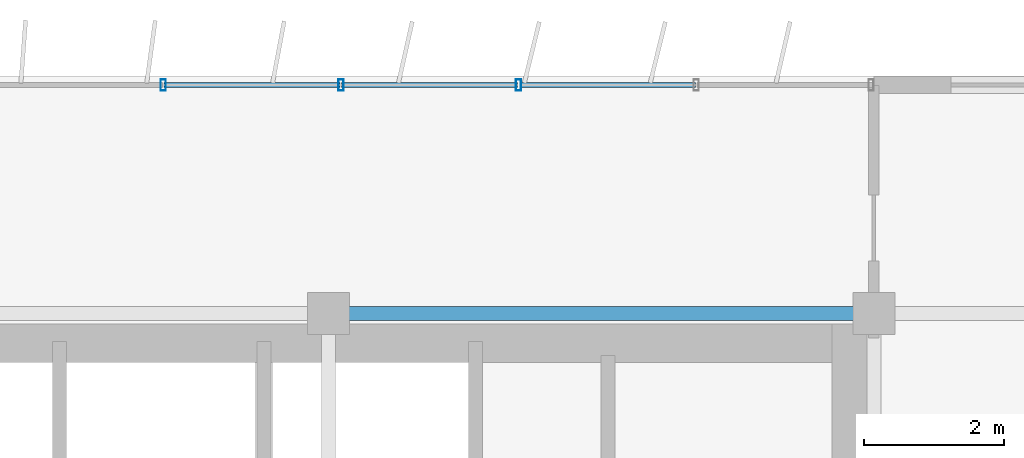
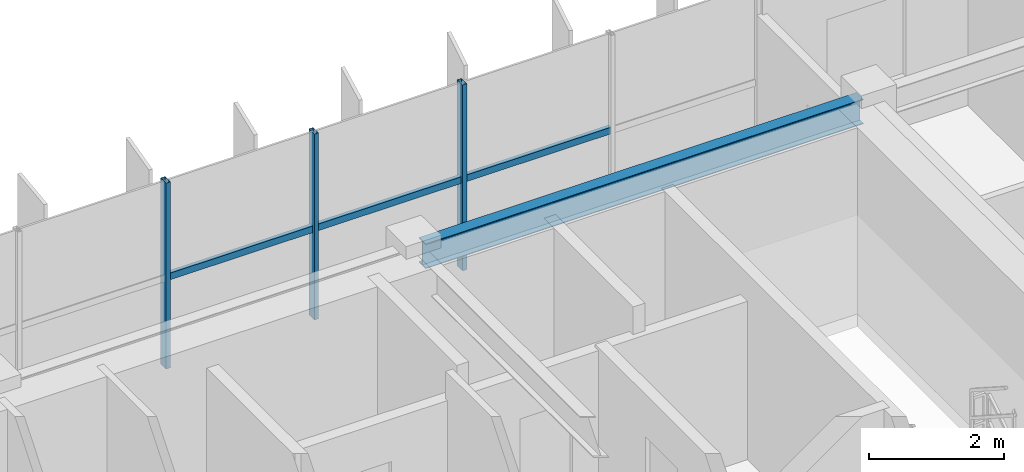
# One storey, part 12 of 22: 6 members, 1 beam, 1 element without a shape of its own.
"""IFC4 building model written with IfcOpenShell, lengths in metres."""

from ifc_helpers import new_model, si_unit, direction, frame, origin, origin_2d, place, context, subcontext, project, spatial, hollow_rectangle, i_section, extrude, source, transform, mapped, material, material_profile, profile_set, type_object, element, aggregate, save


model = new_model("IFC4")

# Units and contexts
model_context = context("Model", 3, precision=1e-05, world=origin(), true_north=direction((0.0, 1.0)))
body_context = subcontext(model_context, "Body", "Model", "MODEL_VIEW")
ifc_project = project(units=[si_unit("LENGTHUNIT", "METRE"), si_unit("AREAUNIT", "SQUARE_METRE"), si_unit("VOLUMEUNIT", "CUBIC_METRE"), si_unit("PLANEANGLEUNIT", "RADIAN"), si_unit("MASSUNIT", "GRAM", prefix="KILO")], contexts=[model_context])

# Site, building, storey
site_placement = place(None, origin())
site = spatial("IfcSite", under=ifc_project, at=site_placement, CompositionType="ELEMENT")
building_placement = place(site_placement, origin())
building = spatial("IfcBuilding", under=site, at=building_placement, Name="Trelvane Seafront Commons", CompositionType="ELEMENT")
storey_placement = place(building_placement, frame((0.0, 0.0, 273.89990234375)))
storey = spatial("IfcBuildingStorey", under=building, at=storey_placement, Name="L71", CompositionType="ELEMENT", Elevation=273.89990234375)

# Beam
ifc_material_1 = material(Name="Steel SM355 (S355)", Category="steel")
ifc_material_profile_1 = material_profile(ifc_material_1, i_section(OverallWidth=0.199951171875, OverallDepth=0.449951171875, WebThickness=0.009033203125, FlangeThickness=0.013916015625, at=origin_2d()), Name="H-450x200x9x14")
ifc_profile_set_1 = profile_set([ifc_material_profile_1], Name="Steel SM355 (S355)")
beam_type = type_object("IfcBeamType", Name="STR-SPD-H450", PredefinedType="SPANDREL", material=ifc_profile_set_1)
shared_shape_1 = source(origin(), body_context, "Body", "SweptSolid", [
    extrude(i_section(OverallWidth=0.199951171875, OverallDepth=0.449951171875, WebThickness=0.009033203125, FlangeThickness=0.013916015625, at=origin_2d()), origin(), (0.0, 0.0, 1.0), 7.5),
])
beam_placement = place(storey_placement, frame((51.14990234375, 45.10009765625, 3.14501953125), z_axis=(1.0, 0.0, 0.0), x_axis=(0.0, 1.0, 0.0)))
element("IfcBeam", 1, at=beam_placement, inside=storey, type_object=beam_type, Name="L71 Primary Girder G-27", PredefinedType="SPANDREL", context=body_context, shape_type="MappedRepresentation", body=[
    mapped(shared_shape_1, transform((0.0, 0.0, 0.0), x_axis=(1.0, 0.0, 0.0), y_axis=(0.0, 1.0, 0.0), z_axis=(0.0, 0.0, 1.0), scale=1.0)),
])

# Curtain wall, members
ifc_material_2 = material(Name="Anodised pale-silver aluminium", Category="aluminium")
curtain_wall_type = type_object("IfcCurtainWallType", Name="ARCH-CW5-UPTOWER", PredefinedType="NOTDEFINED", material=ifc_material_2)
curtain_wall_placement = place(storey_placement, origin())
curtain_wall = element("IfcCurtainWall", 2, at=curtain_wall_placement, inside=storey, type_object=curtain_wall_type, Name="CW-L71-0115", PredefinedType="NOTDEFINED")
ifc_material_profile_2 = material_profile(ifc_material_2, hollow_rectangle(XDim=0.070068359375, YDim=0.1201171875, WallThickness=0.00390625, at=origin_2d()), Name="TRAN-70x120x4")
ifc_profile_set_2 = profile_set([ifc_material_profile_2], Name="Anodised pale-silver aluminium")
member_type_1 = type_object("IfcMemberType", Name="ARCH-CW-TRAN-120", PredefinedType="USERDEFINED", material=ifc_profile_set_2)
shared_shape_2 = source(origin(), body_context, "Body", "SweptSolid", [
    extrude(hollow_rectangle(XDim=0.070068359375, YDim=0.1201171875, WallThickness=0.00390625, at=origin_2d()), origin(), (0.0, 0.0, 1.0), 2.51708984375),
])
member_1_placement = place(storey_placement, frame((51.1884765625, 48.3701171875, 1.6181640625), z_axis=(1.0, 0.0, 0.0), x_axis=(0.0, 1.0, 0.0)))
member_1 = element("IfcMember", 3, at=member_1_placement, type_object=member_type_1, Name="CW-L71-0115-T14", ObjectType="TRANSOM", PredefinedType="USERDEFINED", context=body_context, shape_type="MappedRepresentation", body=[
    mapped(shared_shape_2, transform((0.0, 0.0, 0.0), x_axis=(1.0, 0.0, 0.0), y_axis=(0.0, 1.0, 0.0), z_axis=(0.0, 0.0, 1.0), scale=1.0)),
])
shared_shape_3 = source(origin(), body_context, "Body", "SweptSolid", [
    extrude(hollow_rectangle(XDim=0.070068359375, YDim=0.1201171875, WallThickness=0.00390625, at=origin_2d()), origin(), (0.0, 0.0, 1.0), 2.517333984375),
])
member_2_placement = place(storey_placement, frame((48.647216796875, 48.3701171875, 1.6181640625), z_axis=(1.0, 0.0, 0.0), x_axis=(0.0, 1.0, 0.0)))
member_2 = element("IfcMember", 4, at=member_2_placement, type_object=member_type_1, Name="CW-L71-0115-T13", ObjectType="TRANSOM", PredefinedType="USERDEFINED", context=body_context, shape_type="MappedRepresentation", body=[
    mapped(shared_shape_3, transform((0.0, 0.0, 0.0), x_axis=(1.0, 0.0, 0.0), y_axis=(0.0, 1.0, 0.0), z_axis=(0.0, 0.0, 1.0), scale=1.0)),
])
member_3_placement = place(storey_placement, frame((53.7294921875, 48.3701171875, 1.6181640625), z_axis=(1.0, 0.0, 0.0), x_axis=(0.0, 1.0, 0.0)))
member_3 = element("IfcMember", 5, at=member_3_placement, type_object=member_type_1, Name="CW-L71-0115-T15", ObjectType="TRANSOM", PredefinedType="USERDEFINED", context=body_context, shape_type="MappedRepresentation", body=[
    mapped(shared_shape_3, transform((0.0, 0.0, 0.0), x_axis=(1.0, 0.0, 0.0), y_axis=(0.0, 1.0, 0.0), z_axis=(0.0, 0.0, 1.0), scale=1.0)),
])
ifc_material_profile_3 = material_profile(ifc_material_2, hollow_rectangle(XDim=0.074951171875, YDim=0.159912109375, WallThickness=0.00390625, at=origin_2d()), Name="MULL-75x160x4")
ifc_profile_set_3 = profile_set([ifc_material_profile_3], Name="Anodised pale-silver aluminium")
member_type_2 = type_object("IfcMemberType", Name="ARCH-CW-MULL-160", PredefinedType="MULLION", material=ifc_profile_set_3)
shared_shape_4 = source(origin(), body_context, "Body", "SweptSolid", [
    extrude(hollow_rectangle(XDim=0.074951171875, YDim=0.159912109375, WallThickness=0.00390625, at=origin_2d()), origin(), (0.0, 0.0, 1.0), 3.3701171875),
])
member_4_placement = place(storey_placement, frame((48.63525390625, 48.3701171875, 0.0), z_axis=(0.0, 0.0, 1.0), x_axis=(1.0, 0.0, 0.0)))
member_4 = element("IfcMember", 6, at=member_4_placement, type_object=member_type_2, Name="CW-L71-0115-M13", PredefinedType="MULLION", context=body_context, shape_type="MappedRepresentation", body=[
    mapped(shared_shape_4, transform((0.0, 0.0, 0.0), x_axis=(1.0, 0.0, 0.0), y_axis=(0.0, 1.0, 0.0), z_axis=(0.0, 0.0, 1.0), scale=1.0)),
])
member_5_placement = place(storey_placement, frame((51.176513671875, 48.3701171875, 0.0), z_axis=(0.0, 0.0, 1.0), x_axis=(1.0, 0.0, 0.0)))
member_5 = element("IfcMember", 7, at=member_5_placement, type_object=member_type_2, Name="CW-L71-0115-M14", PredefinedType="MULLION", context=body_context, shape_type="MappedRepresentation", body=[
    mapped(shared_shape_4, transform((0.0, 0.0, 0.0), x_axis=(1.0, 0.0, 0.0), y_axis=(0.0, 1.0, 0.0), z_axis=(0.0, 0.0, 1.0), scale=1.0)),
])
member_6_placement = place(storey_placement, frame((53.717529296875, 48.3701171875, 0.0), z_axis=(0.0, 0.0, 1.0), x_axis=(1.0, 0.0, 0.0)))
member_6 = element("IfcMember", 8, at=member_6_placement, type_object=member_type_2, Name="CW-L71-0115-M15", PredefinedType="MULLION", context=body_context, shape_type="MappedRepresentation", body=[
    mapped(shared_shape_4, transform((0.0, 0.0, 0.0), x_axis=(1.0, 0.0, 0.0), y_axis=(0.0, 1.0, 0.0), z_axis=(0.0, 0.0, 1.0), scale=1.0)),
])
aggregate(curtain_wall, [member_4, member_5, member_6, member_2, member_1, member_3])

save(model, "model.ifc")
